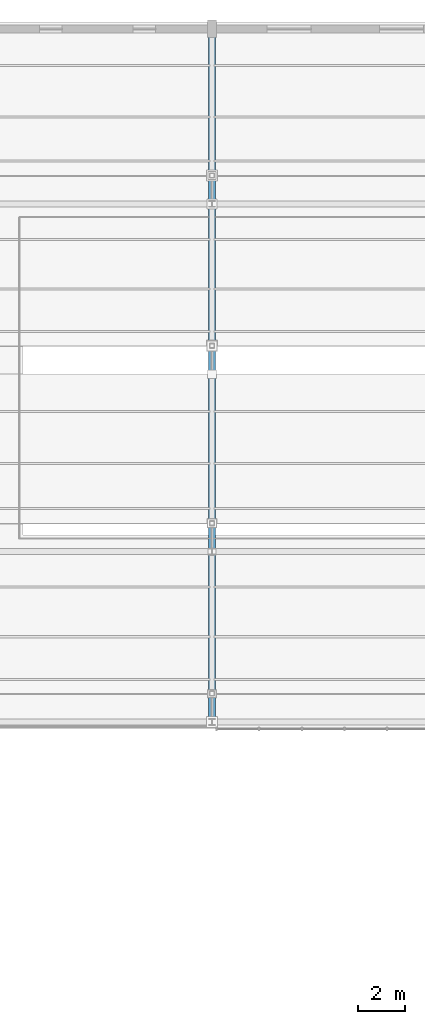
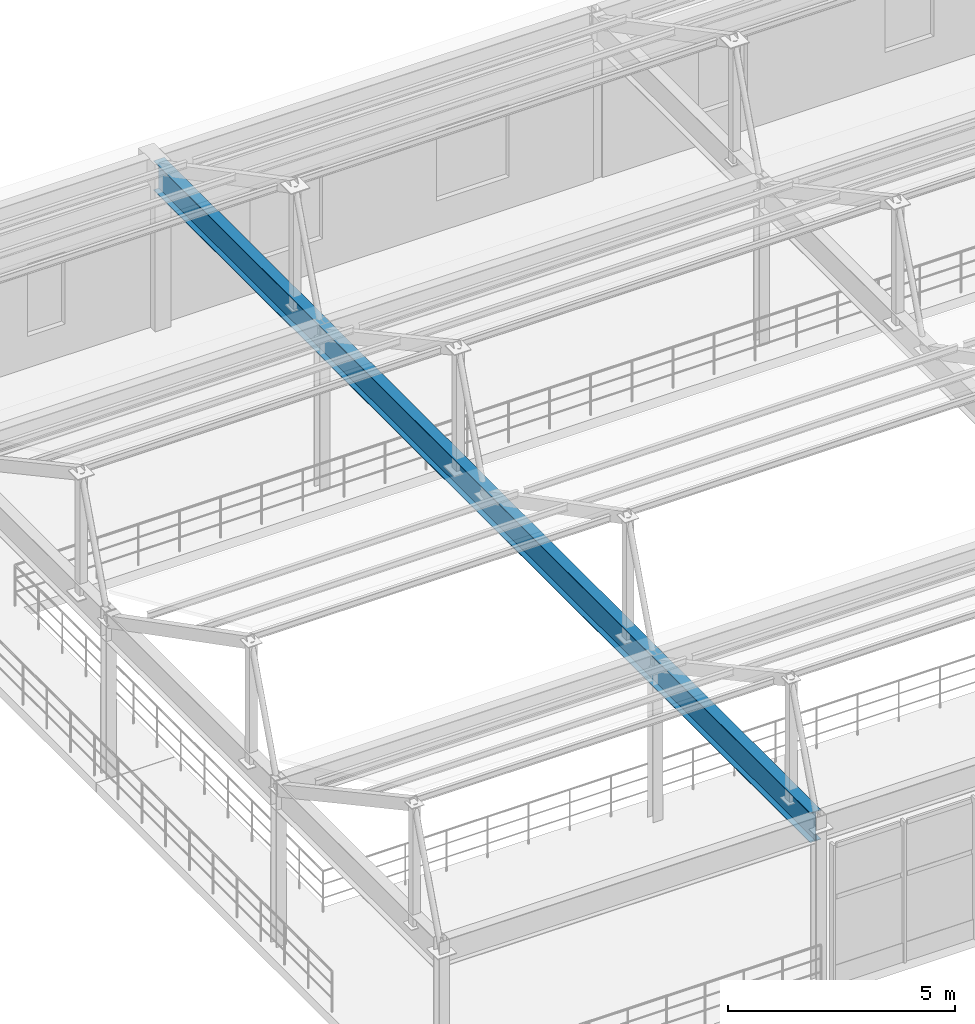
# One storey, part 57 of 112: 1 beam.
"""IFC4 building model written with IfcOpenShell, lengths in metres."""

from ifc_helpers import new_model, si_unit, direction, frame, origin, origin_2d, place, context, subcontext, project, spatial, i_section, extrude, material, material_profile, profile_set, type_object, element, save


model = new_model("IFC4")

# Units and contexts
model_context = context("Model", 3, precision=1e-05, world=origin(), true_north=direction((0.0, 1.0)))
body_context = subcontext(model_context, "Body", "Model", "MODEL_VIEW")
ifc_project = project(units=[si_unit("LENGTHUNIT", "METRE"), si_unit("AREAUNIT", "SQUARE_METRE"), si_unit("VOLUMEUNIT", "CUBIC_METRE"), si_unit("PLANEANGLEUNIT", "RADIAN"), si_unit("MASSUNIT", "GRAM", prefix="KILO")], contexts=[model_context])

# Site, building, storey
site_placement = place(None, origin())
site = spatial("IfcSite", under=ifc_project, at=site_placement, CompositionType="ELEMENT")
building_placement = place(site_placement, origin())
building = spatial("IfcBuilding", under=site, at=building_placement, Name="Cinderbank Siding Concert Hall", CompositionType="ELEMENT")
storey_placement = place(building_placement, frame((0.0, 0.0, 10.199951171875)))
storey = spatial("IfcBuildingStorey", under=building, at=storey_placement, Name="L03", CompositionType="ELEMENT", Elevation=10.199951171875)

# Beam
ifc_material = material(Name="Structural steel welded plate section AS/NZS 3679.2 / AS/NZS 3678 Grade 350 (340 MPa)", Category="steel")
ifc_material_profile = material_profile(ifc_material, i_section(OverallWidth=0.27490234375, OverallDepth=0.800048828125, WebThickness=0.010009765625, FlangeThickness=0.01611328125, at=origin_2d()), Name="800WB146", Category="LoadBearing")
ifc_profile_set = profile_set([ifc_material_profile], Name="Structural steel welded plate section AS/NZS 3679.2 / AS/NZS 3678 Grade 350 (340 MPa)")
beam_type = type_object("IfcBeamType", Name="BM-WB800 800WB146", PredefinedType="BEAM", material=ifc_profile_set)
beam_placement = place(storey_placement, frame((128.0, 88.719970703125, 4.080078125), z_axis=(0.0, 1.0, 0.0), x_axis=(-1.0, 0.0, 0.0)))
element("IfcBeam", 1, at=beam_placement, inside=storey, type_object=beam_type, Name="L03 Beam BM-WB800 #23", PredefinedType="BEAM", context=body_context, shape_type="SweptSolid", body=[
    extrude(i_section(OverallWidth=0.27490234375, OverallDepth=0.800048828125, WebThickness=0.010009765625, FlangeThickness=0.01611328125, at=origin_2d()), origin(), (0.0, 0.0, 1.0), 28.988037109375),
])

save(model, "model.ifc")
